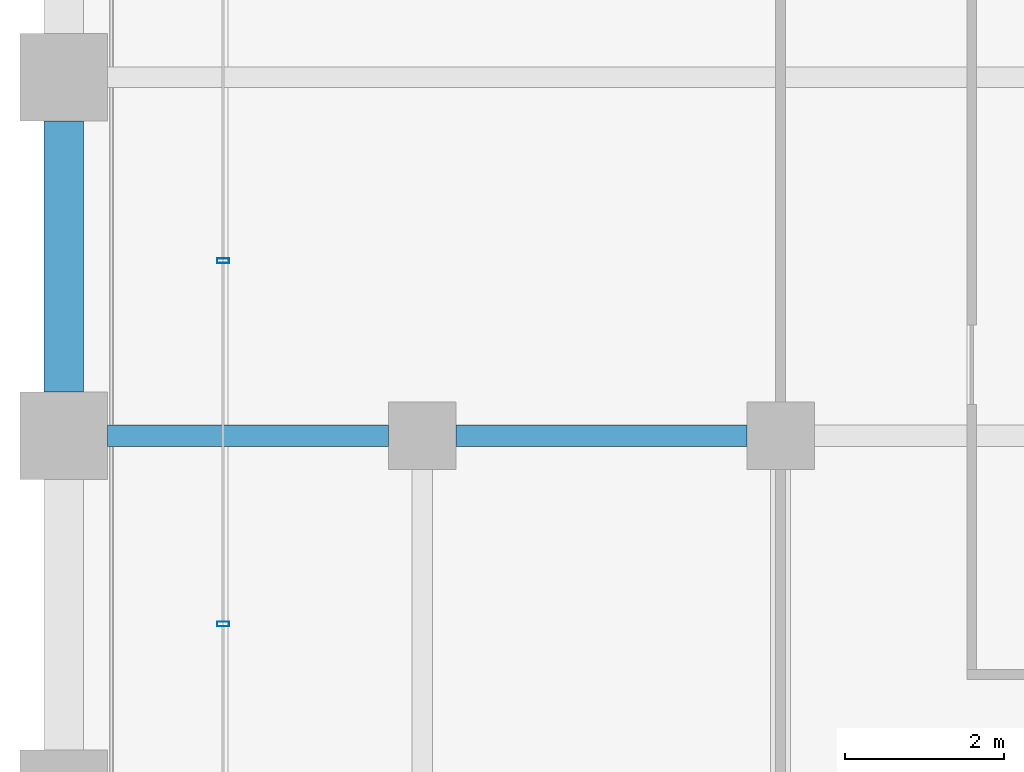
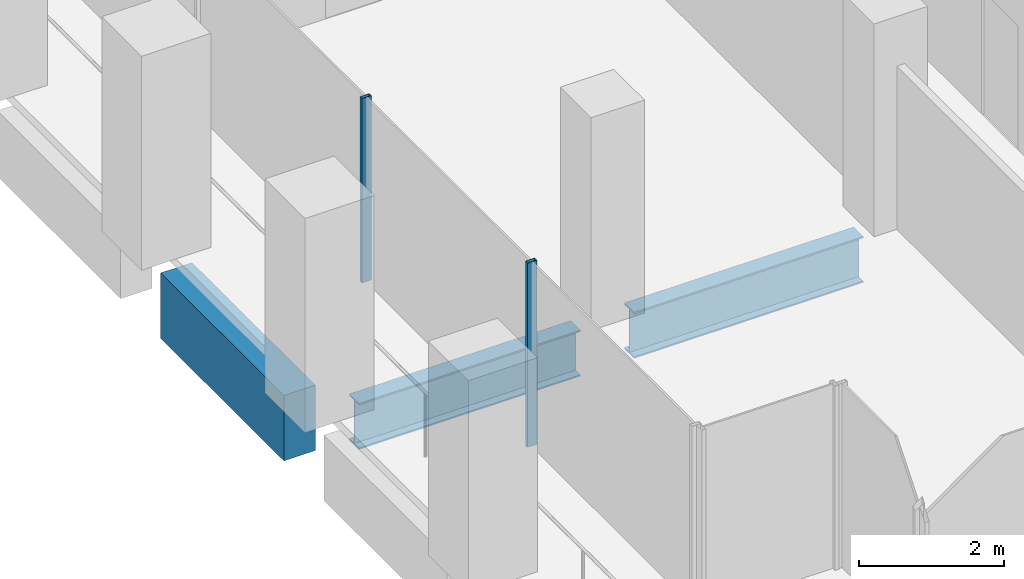
# One storey, part 5 of 54: 3 beams, 2 members, 1 element without a shape of its own.
"""IFC4 building model written with IfcOpenShell, lengths in metres."""

from ifc_helpers import new_model, si_unit, direction, frame, origin, origin_2d, place, context, subcontext, project, spatial, rectangle, hollow_rectangle, i_section, extrude, material, material_profile, profile_set, type_object, element, aggregate, save


model = new_model("IFC4")

# Units and contexts
model_context = context("Model", 3, precision=1e-05, world=origin(), true_north=direction((0.0, 1.0)))
body_context = subcontext(model_context, "Body", "Model", "MODEL_VIEW")
ifc_project = project(units=[si_unit("LENGTHUNIT", "METRE"), si_unit("AREAUNIT", "SQUARE_METRE"), si_unit("VOLUMEUNIT", "CUBIC_METRE"), si_unit("PLANEANGLEUNIT", "RADIAN"), si_unit("MASSUNIT", "GRAM", prefix="KILO")], contexts=[model_context])

# Site, building, storey
site_placement = place(None, origin())
site = spatial("IfcSite", under=ifc_project, at=site_placement, CompositionType="ELEMENT")
building_placement = place(site_placement, origin())
building = spatial("IfcBuilding", under=site, at=building_placement, Name="Altepetl Exchange Towers", CompositionType="ELEMENT")
storey_placement = place(building_placement, frame((0.0, 0.0, 65.39990234375)))
storey = spatial("IfcBuildingStorey", under=building, at=storey_placement, Name="L15", CompositionType="ELEMENT", Elevation=65.39990234375)

# Beams
ifc_material_1 = material(Name="Steel S355", Category="steel")
ifc_material_profile_1 = material_profile(ifc_material_1, i_section(OverallWidth=0.26806640625, OverallDepth=0.77392578125, WebThickness=0.015380859375, FlangeThickness=0.025390625, at=origin_2d()), Name="W30X132")
ifc_profile_set_1 = profile_set([ifc_material_profile_1], Name="Steel S355")
beam_type_1 = type_object("IfcBeamType", Name="Girder W30X132", PredefinedType="BEAM", material=ifc_profile_set_1)
beam_1_placement = place(storey_placement, frame((35.574951171875, 40.5, -0.536865234375), z_axis=(-1.0, 0.0, 0.0), x_axis=(0.0, -1.0, 0.0)))
element("IfcBeam", 1, at=beam_1_placement, inside=storey, type_object=beam_type_1, Name="gd:A:L15:010", PredefinedType="BEAM", context=body_context, shape_type="SweptSolid", body=[
    extrude(i_section(OverallWidth=0.26806640625, OverallDepth=0.77392578125, WebThickness=0.015380859375, FlangeThickness=0.025390625, at=origin_2d()), origin(), (0.0, 0.0, 1.0), 3.64990234375),
])
beam_2_placement = place(storey_placement, frame((31.074951171875, 40.5, -0.536865234375), z_axis=(-1.0, 0.0, 0.0), x_axis=(0.0, -1.0, 0.0)))
element("IfcBeam", 2, at=beam_2_placement, inside=storey, type_object=beam_type_1, Name="gd:A:L15:011", PredefinedType="BEAM", context=body_context, shape_type="SweptSolid", body=[
    extrude(i_section(OverallWidth=0.26806640625, OverallDepth=0.77392578125, WebThickness=0.015380859375, FlangeThickness=0.025390625, at=origin_2d()), origin(), (0.0, 0.0, 1.0), 3.52490234375),
])

# Curtain wall, members
ifc_material_2 = material(Name="Aluminium 6063-T6 glazing", Category="aluminium")
curtain_wall_type = type_object("IfcCurtainWallType", Name="Loggia glazing system", PredefinedType="NOTDEFINED", material=ifc_material_2)
curtain_wall_placement = place(storey_placement, origin())
curtain_wall = element("IfcCurtainWall", 3, at=curtain_wall_placement, inside=storey, type_object=curtain_wall_type, Name="CW1 run", PredefinedType="NOTDEFINED")
ifc_material_3 = material(Name="Aluminium 6063-T6", Category="aluminium")
ifc_material_profile_2 = material_profile(ifc_material_3, hollow_rectangle(XDim=0.06005859375, YDim=0.14990234375, WallThickness=0.0029296875, at=origin_2d()), Name="Mullion 60x150 aluminium")
ifc_profile_set_2 = profile_set([ifc_material_profile_2], Name="Aluminium 6063-T6")
member_type = type_object("IfcMemberType", Name="Mullion 60x150 aluminium", PredefinedType="MULLION", material=ifc_profile_set_2)
member_1_placement = place(storey_placement, frame((29.0, 42.696533203125, 0.0), z_axis=(0.0, 0.0, 1.0), x_axis=(0.0, -1.0, 0.0)))
member_1 = element("IfcMember", 4, at=member_1_placement, type_object=member_type, Name="MU1 mullion", PredefinedType="MULLION", context=body_context, shape_type="SweptSolid", body=[
    extrude(hollow_rectangle(XDim=0.06005859375, YDim=0.14990234375, WallThickness=0.0029296875, at=origin_2d()), origin(), (0.0, 0.0, 1.0), 3.10009765625),
])
member_2_placement = place(storey_placement, frame((29.0, 38.1357421875, 0.0), z_axis=(0.0, 0.0, 1.0), x_axis=(0.0, -1.0, 0.0)))
member_2 = element("IfcMember", 5, at=member_2_placement, type_object=member_type, Name="MU1 mullion", PredefinedType="MULLION", context=body_context, shape_type="SweptSolid", body=[
    extrude(hollow_rectangle(XDim=0.06005859375, YDim=0.14990234375, WallThickness=0.0029296875, at=origin_2d()), origin(), (0.0, 0.0, 1.0), 3.10009765625),
])
aggregate(curtain_wall, [member_1, member_2])

# Beam
ifc_material_4 = material(Name="Concrete C50/60 precast with tezontle facing", Category="concrete")
ifc_material_profile_3 = material_profile(ifc_material_4, rectangle(XDim=0.5, YDim=1.10009765625, at=origin_2d()), Name="500 x 1100")
ifc_profile_set_3 = profile_set([ifc_material_profile_3], Name="Concrete C50/60 precast with tezontle facing")
beam_type_2 = type_object("IfcBeamType", Name="Spandrel beam 500x1100 tezontle", PredefinedType="SPANDREL", material=ifc_profile_set_3)
beam_3_placement = place(storey_placement, frame((27.0, 44.449951171875, -0.699951171875), z_axis=(0.0, -1.0, 0.0), x_axis=(1.0, 0.0, 0.0)))
element("IfcBeam", 6, at=beam_3_placement, inside=storey, type_object=beam_type_2, Name="sp:A:L15:041", PredefinedType="SPANDREL", context=body_context, shape_type="SweptSolid", body=[
    extrude(rectangle(XDim=0.5, YDim=1.10009765625, at=origin_2d()), origin(), (0.0, 0.0, 1.0), 3.39990234375),
])

save(model, "model.ifc")
